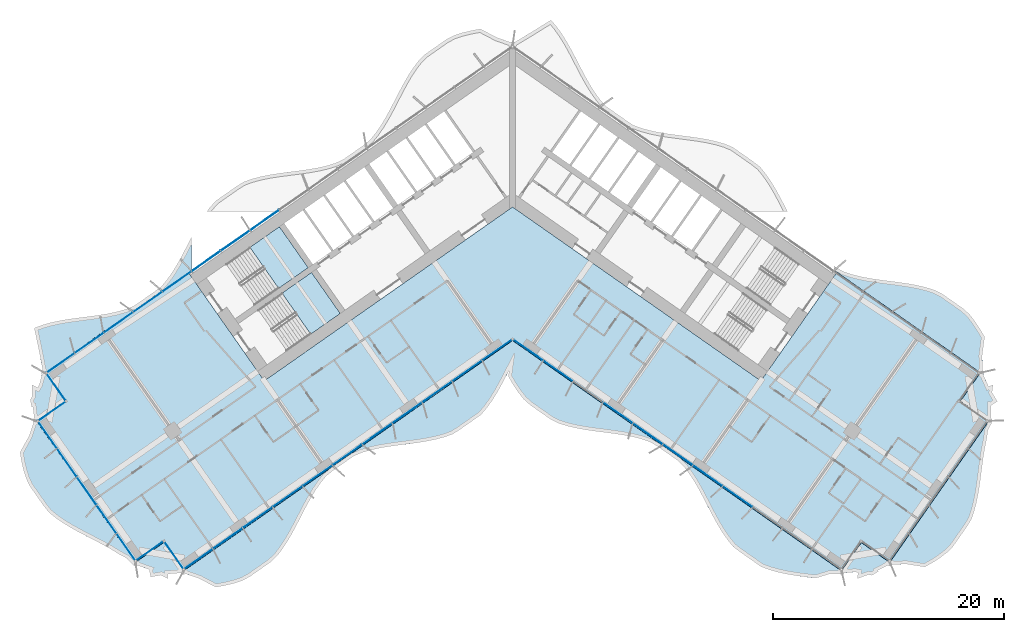
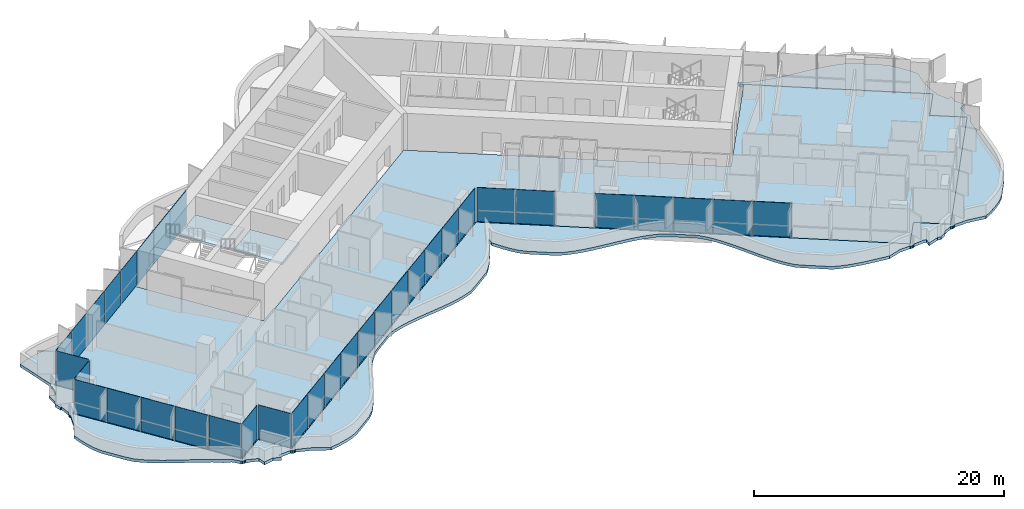
# One storey, part 10 of 23: 35 plates, 4 slabs, 4 elements without a shape of their own.
"""IFC4 building model written with IfcOpenShell, lengths in metres."""

from ifc_helpers import new_model, si_unit, direction, frame, origin, origin_2d, place, context, subcontext, project, spatial, polyline, rectangle, outline, extrude, material, layer, layer_set, type_object, element, aggregate, save


model = new_model("IFC4")

# Units and contexts
model_context = context("Model", 3, precision=1e-05, world=origin(), true_north=direction((0.0, 1.0)))
body_context = subcontext(model_context, "Body", "Model", "MODEL_VIEW")
ifc_project = project(units=[si_unit("LENGTHUNIT", "METRE"), si_unit("AREAUNIT", "SQUARE_METRE"), si_unit("VOLUMEUNIT", "CUBIC_METRE"), si_unit("PLANEANGLEUNIT", "RADIAN"), si_unit("MASSUNIT", "GRAM", prefix="KILO")], contexts=[model_context])

# Site, building, storey
site_placement = place(None, origin())
site = spatial("IfcSite", under=ifc_project, at=site_placement, CompositionType="ELEMENT")
building_placement = place(site_placement, origin())
building = spatial("IfcBuilding", under=site, at=building_placement, Name="Tel Ilan Convention Tower", CompositionType="ELEMENT")
storey_placement = place(building_placement, frame((0.0, 0.0, 115.699951171875)))
storey = spatial("IfcBuildingStorey", under=building, at=storey_placement, Name="L25", CompositionType="ELEMENT", Elevation=115.699951171875)

# Curtain wall, plates
ifc_material_1 = material(Name="Aluminium, bronze anodised", Category="aluminium")
curtain_wall_type_1 = type_object("IfcCurtainWallType", Name="CW1 UNITISED CURTAIN WALL, HOTEL TINTED GLASS", PredefinedType="NOTDEFINED", material=ifc_material_1)
curtain_wall_1_placement = place(storey_placement, origin())
curtain_wall_1 = element("IfcCurtainWall", 1, at=curtain_wall_1_placement, inside=storey, type_object=curtain_wall_type_1, Name="Curtain wall CW1-20.02", PredefinedType="NOTDEFINED")
ifc_material_2 = material(Name="Glass, bronze tinted, two-ply unitised", Category="glass")
ifc_layer_1 = layer(ifc_material_2, 0.028076171875)
ifc_layer_set_1 = layer_set([ifc_layer_1], Name="CW HOTEL GLASS PANEL 28")
plate_type_1 = type_object("IfcPlateType", Name="CW HOTEL GLASS PANEL 28", PredefinedType="CURTAIN_PANEL", material=ifc_layer_set_1)
plate_1_placement = place(storey_placement, frame((-29.1171875, -7.692138671875, 0.0), z_axis=(0.0, 0.0, 1.0), x_axis=(-0.819152044289, -0.573576436351, 0.0)))
plate_1 = element("IfcPlate", 2, at=plate_1_placement, type_object=plate_type_1, Name="Glass panel", PredefinedType="CURTAIN_PANEL", context=body_context, shape_type="SweptSolid", body=[
    extrude(rectangle(XDim=3.037109375, YDim=0.028076171875, at=origin_2d()), origin(), (0.0, 0.0, 1.0), 3.320068359375),
])
plate_2_placement = place(storey_placement, frame((-31.654296875, -9.468505859375, 0.0), z_axis=(0.0, 0.0, 1.0), x_axis=(-0.819152044289, -0.573576436351, 0.0)))
plate_2 = element("IfcPlate", 3, at=plate_2_placement, type_object=plate_type_1, Name="Glass panel", PredefinedType="CURTAIN_PANEL", context=body_context, shape_type="SweptSolid", body=[
    extrude(rectangle(XDim=3.037109375, YDim=0.028076171875, at=origin_2d()), origin(), (0.0, 0.0, 1.0), 3.320068359375),
])
plate_3_placement = place(storey_placement, frame((-34.191162109375, -11.244873046875, 0.0), z_axis=(0.0, 0.0, 1.0), x_axis=(-0.819152044289, -0.573576436351, 0.0)))
plate_3 = element("IfcPlate", 4, at=plate_3_placement, type_object=plate_type_1, Name="Glass panel", PredefinedType="CURTAIN_PANEL", context=body_context, shape_type="SweptSolid", body=[
    extrude(rectangle(XDim=3.037109375, YDim=0.028076171875, at=origin_2d()), origin(), (0.0, 0.0, 1.0), 3.320068359375),
])
plate_4_placement = place(storey_placement, frame((-36.72802734375, -13.021240234375, 0.0), z_axis=(0.0, 0.0, 1.0), x_axis=(-0.819152044289, -0.573576436351, 0.0)))
plate_4 = element("IfcPlate", 5, at=plate_4_placement, type_object=plate_type_1, Name="Glass panel", PredefinedType="CURTAIN_PANEL", context=body_context, shape_type="SweptSolid", body=[
    extrude(rectangle(XDim=3.037109375, YDim=0.028076171875, at=origin_2d()), origin(), (0.0, 0.0, 1.0), 3.320068359375),
])
plate_5_placement = place(storey_placement, frame((-39.2265625, -14.7705078125, 0.0), z_axis=(0.0, 0.0, 1.0), x_axis=(-0.819152044289, -0.573576436351, 0.0)))
plate_5 = element("IfcPlate", 6, at=plate_5_placement, type_object=plate_type_1, Name="Glass panel", PredefinedType="CURTAIN_PANEL", context=body_context, shape_type="SweptSolid", body=[
    extrude(rectangle(XDim=2.943115234375, YDim=0.028076171875, at=origin_2d()), origin(), (0.0, 0.0, 1.0), 3.320068359375),
])
plate_6_placement = place(storey_placement, frame((-39.61328125, -16.82568359375, 0.0), z_axis=(0.0, 0.0, 1.0), x_axis=(0.573576436351, -0.819152044289, 0.0)))
plate_6 = element("IfcPlate", 7, at=plate_6_placement, type_object=plate_type_1, Name="Glass panel", PredefinedType="CURTAIN_PANEL", context=body_context, shape_type="SweptSolid", body=[
    extrude(rectangle(XDim=2.875, YDim=0.028076171875, at=origin_2d()), origin(), (0.0, 0.0, 1.0), 3.320068359375),
])
plate_7_placement = place(storey_placement, frame((-39.990966796875, -18.96826171875, 0.0), z_axis=(0.0, 0.0, 1.0), x_axis=(-0.819152044289, -0.573576436351, 0.0)))
plate_7 = element("IfcPlate", 8, at=plate_7_placement, type_object=plate_type_1, Name="Glass panel", PredefinedType="CURTAIN_PANEL", context=body_context, shape_type="SweptSolid", body=[
    extrude(rectangle(XDim=2.875, YDim=0.028076171875, at=origin_2d()), origin(), (0.0, 0.0, 1.0), 3.320068359375),
])
plate_8_placement = place(storey_placement, frame((-40.358154296875, -20.991943359375, 0.0), z_axis=(0.0, 0.0, 1.0), x_axis=(0.573576436351, -0.819152044289, 0.0)))
plate_8 = element("IfcPlate", 9, at=plate_8_placement, type_object=plate_type_1, Name="Glass panel", PredefinedType="CURTAIN_PANEL", context=body_context, shape_type="SweptSolid", body=[
    extrude(rectangle(XDim=2.845947265625, YDim=0.028076171875, at=origin_2d()), origin(), (0.0, 0.0, 1.0), 3.320068359375),
])
plate_9_placement = place(storey_placement, frame((-38.66455078125, -23.410888671875, 0.0), z_axis=(0.0, 0.0, 1.0), x_axis=(0.573576436351, -0.819152044289, 0.0)))
plate_9 = element("IfcPlate", 10, at=plate_9_placement, type_object=plate_type_1, Name="Glass panel", PredefinedType="CURTAIN_PANEL", context=body_context, shape_type="SweptSolid", body=[
    extrude(rectangle(XDim=2.93994140625, YDim=0.028076171875, at=origin_2d()), origin(), (0.0, 0.0, 1.0), 3.320068359375),
])
plate_10_placement = place(storey_placement, frame((-36.94384765625, -25.868408203125, 0.0), z_axis=(0.0, 0.0, 1.0), x_axis=(0.573576436351, -0.819152044289, 0.0)))
plate_10 = element("IfcPlate", 11, at=plate_10_placement, type_object=plate_type_1, Name="Glass panel", PredefinedType="CURTAIN_PANEL", context=body_context, shape_type="SweptSolid", body=[
    extrude(rectangle(XDim=2.93994140625, YDim=0.028076171875, at=origin_2d()), origin(), (0.0, 0.0, 1.0), 3.320068359375),
])
plate_11_placement = place(storey_placement, frame((-35.22314453125, -28.32568359375, 0.0), z_axis=(0.0, 0.0, 1.0), x_axis=(0.573576436351, -0.819152044289, 0.0)))
plate_11 = element("IfcPlate", 12, at=plate_11_placement, type_object=plate_type_1, Name="Glass panel", PredefinedType="CURTAIN_PANEL", context=body_context, shape_type="SweptSolid", body=[
    extrude(rectangle(XDim=2.93994140625, YDim=0.028076171875, at=origin_2d()), origin(), (0.0, 0.0, 1.0), 3.320068359375),
])
plate_12_placement = place(storey_placement, frame((-33.529296875, -30.74462890625, 0.0), z_axis=(0.0, 0.0, 1.0), x_axis=(0.573576436351, -0.819152044289, 0.0)))
plate_12 = element("IfcPlate", 13, at=plate_12_placement, type_object=plate_type_1, Name="Glass panel", PredefinedType="CURTAIN_PANEL", context=body_context, shape_type="SweptSolid", body=[
    extrude(rectangle(XDim=2.845947265625, YDim=0.028076171875, at=origin_2d()), origin(), (0.0, 0.0, 1.0), 3.320068359375),
])
plate_13_placement = place(storey_placement, frame((-31.502197265625, -31.091796875, 0.0), z_axis=(0.0, 0.0, 1.0), x_axis=(0.819152044289, 0.573576436351, 0.0)))
plate_13 = element("IfcPlate", 14, at=plate_13_placement, type_object=plate_type_1, Name="Glass panel", PredefinedType="CURTAIN_PANEL", context=body_context, shape_type="SweptSolid", body=[
    extrude(rectangle(XDim=2.875, YDim=0.028076171875, at=origin_2d()), origin(), (0.0, 0.0, 1.0), 3.320068359375),
])
plate_14_placement = place(storey_placement, frame((-29.359375, -31.469482421875, 0.0), z_axis=(0.0, 0.0, 1.0), x_axis=(0.573576436351, -0.819152044289, 0.0)))
plate_14 = element("IfcPlate", 15, at=plate_14_placement, type_object=plate_type_1, Name="Glass panel", PredefinedType="CURTAIN_PANEL", context=body_context, shape_type="SweptSolid", body=[
    extrude(rectangle(XDim=2.875, YDim=0.028076171875, at=origin_2d()), origin(), (0.0, 0.0, 1.0), 3.320068359375),
])
plate_15_placement = place(storey_placement, frame((-27.26708984375, -31.78857421875, 0.0), z_axis=(0.0, 0.0, 1.0), x_axis=(0.819152044289, 0.573576436351, 0.0)))
plate_15 = element("IfcPlate", 16, at=plate_15_placement, type_object=plate_type_1, Name="Glass panel", PredefinedType="CURTAIN_PANEL", context=body_context, shape_type="SweptSolid", body=[
    extrude(rectangle(XDim=3.013916015625, YDim=0.028076171875, at=origin_2d()), origin(), (0.0, 0.0, 1.0), 3.320068359375),
])
plate_16_placement = place(storey_placement, frame((-24.71044921875, -29.99853515625, 0.0), z_axis=(0.0, 0.0, 1.0), x_axis=(0.819152044289, 0.573576436351, 0.0)))
plate_16 = element("IfcPlate", 17, at=plate_16_placement, type_object=plate_type_1, Name="Glass panel", PredefinedType="CURTAIN_PANEL", context=body_context, shape_type="SweptSolid", body=[
    extrude(rectangle(XDim=3.10791015625, YDim=0.028076171875, at=origin_2d()), origin(), (0.0, 0.0, 1.0), 3.320068359375),
])
plate_17_placement = place(storey_placement, frame((-22.115478515625, -28.181396484375, 0.0), z_axis=(0.0, 0.0, 1.0), x_axis=(0.819152044289, 0.573576436351, 0.0)))
plate_17 = element("IfcPlate", 18, at=plate_17_placement, type_object=plate_type_1, Name="Glass panel", PredefinedType="CURTAIN_PANEL", context=body_context, shape_type="SweptSolid", body=[
    extrude(rectangle(XDim=3.10791015625, YDim=0.028076171875, at=origin_2d()), origin(), (0.0, 0.0, 1.0), 3.320068359375),
])
plate_18_placement = place(storey_placement, frame((-19.520263671875, -26.3642578125, 0.0), z_axis=(0.0, 0.0, 1.0), x_axis=(0.819152044289, 0.573576436351, 0.0)))
plate_18 = element("IfcPlate", 19, at=plate_18_placement, type_object=plate_type_1, Name="Glass panel", PredefinedType="CURTAIN_PANEL", context=body_context, shape_type="SweptSolid", body=[
    extrude(rectangle(XDim=3.10791015625, YDim=0.028076171875, at=origin_2d()), origin(), (0.0, 0.0, 1.0), 3.320068359375),
])
plate_19_placement = place(storey_placement, frame((-16.92529296875, -24.54736328125, 0.0), z_axis=(0.0, 0.0, 1.0), x_axis=(0.819152044289, 0.573576436351, 0.0)))
plate_19 = element("IfcPlate", 20, at=plate_19_placement, type_object=plate_type_1, Name="Glass panel", PredefinedType="CURTAIN_PANEL", context=body_context, shape_type="SweptSolid", body=[
    extrude(rectangle(XDim=3.10791015625, YDim=0.028076171875, at=origin_2d()), origin(), (0.0, 0.0, 1.0), 3.320068359375),
])
plate_20_placement = place(storey_placement, frame((-14.330078125, -22.730224609375, 0.0), z_axis=(0.0, 0.0, 1.0), x_axis=(0.819152044289, 0.573576436351, 0.0)))
plate_20 = element("IfcPlate", 21, at=plate_20_placement, type_object=plate_type_1, Name="Glass panel", PredefinedType="CURTAIN_PANEL", context=body_context, shape_type="SweptSolid", body=[
    extrude(rectangle(XDim=3.10791015625, YDim=0.028076171875, at=origin_2d()), origin(), (0.0, 0.0, 1.0), 3.320068359375),
])
plate_21_placement = place(storey_placement, frame((-11.735107421875, -20.9130859375, 0.0), z_axis=(0.0, 0.0, 1.0), x_axis=(0.819152044289, 0.573576436351, 0.0)))
plate_21 = element("IfcPlate", 22, at=plate_21_placement, type_object=plate_type_1, Name="Glass panel", PredefinedType="CURTAIN_PANEL", context=body_context, shape_type="SweptSolid", body=[
    extrude(rectangle(XDim=3.10791015625, YDim=0.028076171875, at=origin_2d()), origin(), (0.0, 0.0, 1.0), 3.320068359375),
])
plate_22_placement = place(storey_placement, frame((-9.14013671875, -19.095947265625, 0.0), z_axis=(0.0, 0.0, 1.0), x_axis=(0.819152044289, 0.573576436351, 0.0)))
plate_22 = element("IfcPlate", 23, at=plate_22_placement, type_object=plate_type_1, Name="Glass panel", PredefinedType="CURTAIN_PANEL", context=body_context, shape_type="SweptSolid", body=[
    extrude(rectangle(XDim=3.10791015625, YDim=0.028076171875, at=origin_2d()), origin(), (0.0, 0.0, 1.0), 3.320068359375),
])
plate_23_placement = place(storey_placement, frame((-6.544921875, -17.27880859375, 0.0), z_axis=(0.0, 0.0, 1.0), x_axis=(0.819152044289, 0.573576436351, 0.0)))
plate_23 = element("IfcPlate", 24, at=plate_23_placement, type_object=plate_type_1, Name="Glass panel", PredefinedType="CURTAIN_PANEL", context=body_context, shape_type="SweptSolid", body=[
    extrude(rectangle(XDim=3.10791015625, YDim=0.028076171875, at=origin_2d()), origin(), (0.0, 0.0, 1.0), 3.320068359375),
])
plate_24_placement = place(storey_placement, frame((-3.949951171875, -15.4619140625, 0.0), z_axis=(0.0, 0.0, 1.0), x_axis=(0.819152044289, 0.573576436351, 0.0)))
plate_24 = element("IfcPlate", 25, at=plate_24_placement, type_object=plate_type_1, Name="Glass panel", PredefinedType="CURTAIN_PANEL", context=body_context, shape_type="SweptSolid", body=[
    extrude(rectangle(XDim=3.10791015625, YDim=0.028076171875, at=origin_2d()), origin(), (0.0, 0.0, 1.0), 3.320068359375),
])
plate_25_placement = place(storey_placement, frame((-1.355224609375, -13.64501953125, 0.0), z_axis=(0.0, 0.0, 1.0), x_axis=(0.819152044289, 0.573576436351, 0.0)))
plate_25 = element("IfcPlate", 26, at=plate_25_placement, type_object=plate_type_1, Name="Glass panel", PredefinedType="CURTAIN_PANEL", context=body_context, shape_type="SweptSolid", body=[
    extrude(rectangle(XDim=3.10693359375, YDim=0.028076171875, at=origin_2d()), origin(), (0.0, 0.0, 1.0), 3.320068359375),
])
plate_26_placement = place(storey_placement, frame((1.366943359375, -13.653076171875, 0.0), z_axis=(0.0, 0.0, 1.0), x_axis=(0.819152044289, -0.573576436351, 0.0)))
plate_26 = element("IfcPlate", 27, at=plate_26_placement, type_object=plate_type_1, Name="Glass panel", PredefinedType="CURTAIN_PANEL", context=body_context, shape_type="SweptSolid", body=[
    extrude(rectangle(XDim=3.078857421875, YDim=0.028076171875, at=origin_2d()), origin(), (0.0, 0.0, 1.0), 3.320068359375),
])
plate_27_placement = place(storey_placement, frame((3.949951171875, -15.4619140625, 0.0), z_axis=(0.0, 0.0, 1.0), x_axis=(0.819152044289, -0.573576436351, 0.0)))
plate_27 = element("IfcPlate", 28, at=plate_27_placement, type_object=plate_type_1, Name="Glass panel", PredefinedType="CURTAIN_PANEL", context=body_context, shape_type="SweptSolid", body=[
    extrude(rectangle(XDim=3.10791015625, YDim=0.028076171875, at=origin_2d()), origin(), (0.0, 0.0, 1.0), 3.320068359375),
])
plate_28_placement = place(storey_placement, frame((9.14013671875, -19.095947265625, 0.0), z_axis=(0.0, 0.0, 1.0), x_axis=(0.819152044289, -0.573576436351, 0.0)))
plate_28 = element("IfcPlate", 29, at=plate_28_placement, type_object=plate_type_1, Name="Glass panel", PredefinedType="CURTAIN_PANEL", context=body_context, shape_type="SweptSolid", body=[
    extrude(rectangle(XDim=3.10791015625, YDim=0.028076171875, at=origin_2d()), origin(), (0.0, 0.0, 1.0), 3.320068359375),
])
plate_29_placement = place(storey_placement, frame((11.735107421875, -20.9130859375, 0.0), z_axis=(0.0, 0.0, 1.0), x_axis=(0.819152044289, -0.573576436351, 0.0)))
plate_29 = element("IfcPlate", 30, at=plate_29_placement, type_object=plate_type_1, Name="Glass panel", PredefinedType="CURTAIN_PANEL", context=body_context, shape_type="SweptSolid", body=[
    extrude(rectangle(XDim=3.10791015625, YDim=0.028076171875, at=origin_2d()), origin(), (0.0, 0.0, 1.0), 3.320068359375),
])
plate_30_placement = place(storey_placement, frame((14.330078125, -22.730224609375, 0.0), z_axis=(0.0, 0.0, 1.0), x_axis=(0.819152044289, -0.573576436351, 0.0)))
plate_30 = element("IfcPlate", 31, at=plate_30_placement, type_object=plate_type_1, Name="Glass panel", PredefinedType="CURTAIN_PANEL", context=body_context, shape_type="SweptSolid", body=[
    extrude(rectangle(XDim=3.10791015625, YDim=0.028076171875, at=origin_2d()), origin(), (0.0, 0.0, 1.0), 3.320068359375),
])
plate_31_placement = place(storey_placement, frame((16.92529296875, -24.54736328125, 0.0), z_axis=(0.0, 0.0, 1.0), x_axis=(0.819152044289, -0.573576436351, 0.0)))
plate_31 = element("IfcPlate", 32, at=plate_31_placement, type_object=plate_type_1, Name="Glass panel", PredefinedType="CURTAIN_PANEL", context=body_context, shape_type="SweptSolid", body=[
    extrude(rectangle(XDim=3.10791015625, YDim=0.028076171875, at=origin_2d()), origin(), (0.0, 0.0, 1.0), 3.320068359375),
])
plate_32_placement = place(storey_placement, frame((19.520263671875, -26.3642578125, 0.0), z_axis=(0.0, 0.0, 1.0), x_axis=(0.819152044289, -0.573576436351, 0.0)))
plate_32 = element("IfcPlate", 33, at=plate_32_placement, type_object=plate_type_1, Name="Glass panel", PredefinedType="CURTAIN_PANEL", context=body_context, shape_type="SweptSolid", body=[
    extrude(rectangle(XDim=3.10791015625, YDim=0.028076171875, at=origin_2d()), origin(), (0.0, 0.0, 1.0), 3.320068359375),
])
aggregate(curtain_wall_1, [plate_1, plate_2, plate_3, plate_4, plate_5, plate_6, plate_7, plate_8, plate_9, plate_10, plate_11, plate_12, plate_13, plate_14, plate_15, plate_16, plate_17, plate_18, plate_19, plate_20, plate_21, plate_22, plate_23, plate_24, plate_25, plate_26, plate_27, plate_28, plate_29, plate_30, plate_31, plate_32])

ifc_material_3 = material(Name="Aluminium, bronze anodised", Category="aluminium")
curtain_wall_type_2 = type_object("IfcCurtainWallType", Name="CW2 STICK CURTAIN WALL, SPANDREL PANELS", PredefinedType="NOTDEFINED", material=ifc_material_3)
curtain_wall_2_placement = place(storey_placement, origin())
curtain_wall_2 = element("IfcCurtainWall", 34, at=curtain_wall_2_placement, inside=storey, type_object=curtain_wall_type_2, Name="Curtain wall CW2-20.01", PredefinedType="NOTDEFINED")
ifc_material_4 = material(Name="Aluminium composite panel, bronze anodised", Category="aluminium")
ifc_layer_2 = layer(ifc_material_4, 0.06005859375)
ifc_layer_set_2 = layer_set([ifc_layer_2], Name="CW SPANDREL PANEL 60")
plate_type_2 = type_object("IfcPlateType", Name="CW SPANDREL PANEL 60", PredefinedType="CURTAIN_PANEL", material=ifc_layer_set_2)
plate_33_placement = place(storey_placement, frame((-21.506591796875, -2.363037109375, 0.0), z_axis=(0.0, 0.0, 1.0), x_axis=(-0.819152044289, -0.573576436351, 0.0)))
plate_33 = element("IfcPlate", 35, at=plate_33_placement, type_object=plate_type_2, Name="Spandrel panel", PredefinedType="CURTAIN_PANEL", context=body_context, shape_type="SweptSolid", body=[
    extrude(rectangle(XDim=3.037109375, YDim=0.06005859375, at=origin_2d()), origin(), (0.0, 0.0, 1.0), 3.320068359375),
])
plate_34_placement = place(storey_placement, frame((-24.04345703125, -4.139404296875, 0.0), z_axis=(0.0, 0.0, 1.0), x_axis=(-0.819152044289, -0.573576436351, 0.0)))
plate_34 = element("IfcPlate", 36, at=plate_34_placement, type_object=plate_type_2, Name="Spandrel panel", PredefinedType="CURTAIN_PANEL", context=body_context, shape_type="SweptSolid", body=[
    extrude(rectangle(XDim=3.037109375, YDim=0.06005859375, at=origin_2d()), origin(), (0.0, 0.0, 1.0), 3.320068359375),
])
plate_35_placement = place(storey_placement, frame((-26.580322265625, -5.915771484375, 0.0), z_axis=(0.0, 0.0, 1.0), x_axis=(-0.819152044289, -0.573576436351, 0.0)))
plate_35 = element("IfcPlate", 37, at=plate_35_placement, type_object=plate_type_2, Name="Spandrel panel", PredefinedType="CURTAIN_PANEL", context=body_context, shape_type="SweptSolid", body=[
    extrude(rectangle(XDim=3.037109375, YDim=0.06005859375, at=origin_2d()), origin(), (0.0, 0.0, 1.0), 3.320068359375),
])
aggregate(curtain_wall_2, [plate_33, plate_34, plate_35])

# Stair, slab
ifc_material_5 = material(Name="Concrete C40/50", Category="concrete")
stair_type = type_object("IfcStairType", Name="Pressurised Exit Stair 20 risers 180 mm", PredefinedType="HALF_TURN_STAIR", material=ifc_material_5)
stair_1_placement = place(storey_placement, origin())
stair_1 = element("IfcStair", 38, at=stair_1_placement, inside=storey, type_object=stair_type, Name="L25 Pressurised Stair S1", PredefinedType="HALF_TURN_STAIR")
ifc_material_6 = material(Name="Concrete C40/50", Category="concrete")
ifc_layer_3 = layer(ifc_material_6, 0.199951171875)
ifc_layer_set_3 = layer_set([ifc_layer_3], Name="Concrete Stair Landing 200 mm C40/50")
slab_type_1 = type_object("IfcSlabType", Name="Concrete Stair Landing 200 mm", PredefinedType="LANDING", material=ifc_layer_set_3)
slab_1_placement = place(storey_placement, frame((0.0, 0.0, 1.60009765625)))
slab_1 = element("IfcSlab", 39, at=slab_1_placement, type_object=slab_type_1, Name="S1 landing 1", PredefinedType="LANDING", context=body_context, shape_type="SweptSolid", body=[
    extrude(outline(polyline([(-20.2958984375, -8.29052734375), (-17.7314453125, -6.494873046875), (-20.226318359375, -2.931640625), (-22.791015625, -4.727294921875), (-20.2958984375, -8.29052734375)])), origin(), (0.0, 0.0, 1.0), 0.199951171875),
])
aggregate(stair_1, [slab_1])

stair_2_placement = place(storey_placement, origin())
stair_2 = element("IfcStair", 40, at=stair_2_placement, inside=storey, type_object=stair_type, Name="L25 Pressurised Stair S2", PredefinedType="HALF_TURN_STAIR")
slab_2_placement = place(storey_placement, frame((0.0, 0.0, 1.60009765625)))
slab_2 = element("IfcSlab", 41, at=slab_2_placement, type_object=slab_type_1, Name="S2 landing 1", PredefinedType="LANDING", context=body_context, shape_type="SweptSolid", body=[
    extrude(outline(polyline([(-17.51416015625, -12.263427734375), (-14.949462890625, -10.4677734375), (-17.444580078125, -6.904541015625), (-20.00927734375, -8.7001953125), (-17.51416015625, -12.263427734375)])), origin(), (0.0, 0.0, 1.0), 0.199951171875),
])
aggregate(stair_2, [slab_2])

# Slabs
ifc_material_7 = material(Name="Concrete C40/50", Category="concrete")
ifc_layer_4 = layer(ifc_material_7, 0.280029296875)
ifc_layer_set_4 = layer_set([ifc_layer_4], Name="Edge Ledge Slab 280 mm C40/50")
slab_type_2 = type_object("IfcSlabType", Name="Edge Ledge Slab 280 mm C40/50", PredefinedType="FLOOR", material=ifc_layer_set_4)
slab_3_placement = place(storey_placement, frame((0.0, 0.0, -0.280029296875)))
element("IfcSlab", 42, at=slab_3_placement, inside=storey, type_object=slab_type_2, Name="L25 edge ledge 1", PredefinedType="FLOOR", context=body_context, shape_type="SweptSolid", body=[
    extrude(outline(polyline([(-41.327392578125, -19.781982421875), (-32.723876953125, -32.0693359375), (-30.266357421875, -30.3486328125), (-30.09423828125, -30.59423828125), (-28.714599609375, -32.56494140625), (-28.545654296875, -32.805908203125), (0.0, -12.818115234375), (28.545654296875, -32.805908203125), (28.712890625, -32.567138671875), (30.09423828125, -30.59423828125), (30.266357421875, -30.3486328125), (32.723876953125, -32.0693359375), (41.327392578125, -19.781982421875), (41.08837890625, -19.61474609375), (40.098876953125, -18.921630859375), (38.8701171875, -18.061279296875), (40.5908203125, -15.603759765625), (27.875, -6.7001953125), (27.875, -6.333740234375), (28.040283203125, -6.44970703125), (28.68408203125, -6.820068359375), (29.414794921875, -7.0654296875), (30.181884765625, -7.259521484375), (30.97802734375, -7.412109375), (31.79443359375, -7.535400390625), (32.6220703125, -7.64306640625), (33.450927734375, -7.748779296875), (34.27099609375, -7.86669921875), (35.072998046875, -8.0107421875), (35.84814453125, -8.193115234375), (36.5888671875, -8.4248046875), (37.260498046875, -8.755126953125), (39.077880859375, -10.027587890625), (39.63232421875, -10.525390625), (40.108154296875, -11.13525390625), (40.548583984375, -11.795654296875), (40.96044921875, -12.496826171875), (40.743408203125, -14.096435546875), (40.7626953125, -15.358154296875), (40.759521484375, -15.36279296875), (40.802978515625, -15.3916015625), (40.867919921875, -15.489013671875), (40.890869140625, -15.603759765625), (40.867919921875, -15.718505859375), (40.831787109375, -15.772705078125), (40.83642578125, -15.77587890625), (41.29638671875, -16.79443359375), (41.686767578125, -16.65380859375), (41.602294921875, -17.322509765625), (42.063720703125, -18.10009765625), (41.508056640625, -18.443603515625), (41.487548828125, -18.439453125), (41.49951171875, -19.536376953125), (41.496337890625, -19.541015625), (41.53955078125, -19.56982421875), (41.604736328125, -19.667236328125), (41.62744140625, -19.781982421875), (41.604736328125, -19.896728515625), (41.568603515625, -19.95068359375), (41.5732421875, -19.9541015625), (41.24267578125, -20.594482421875), (41.12841796875, -21.386474609375), (40.97021484375, -22.147705078125), (40.841064453125, -22.929443359375), (40.732421875, -23.72509765625), (40.631103515625, -24.5263671875), (40.52490234375, -25.323974609375), (40.40087890625, -26.10888671875), (40.247314453125, -26.87353515625), (40.0537109375, -27.60986328125), (39.810791015625, -28.311767578125), (39.44189453125, -28.925537109375), (38.212890625, -30.680908203125), (37.701904296875, -31.195068359375), (37.104736328125, -31.64892578125), (36.4619140625, -32.07080078125), (35.769775390625, -32.4580078125), (34.16845703125, -32.208740234375), (32.969482421875, -32.241455078125), (32.96484375, -32.238037109375), (32.93603515625, -32.281494140625), (32.838623046875, -32.346435546875), (32.723876953125, -32.369384765625), (32.60888671875, -32.346435546875), (32.554931640625, -32.310302734375), (32.5517578125, -32.31494140625), (31.685546875, -32.75439453125), (31.7392578125, -32.8447265625), (31.18359375, -33.188232421875), (30.877685546875, -33.126708984375), (29.9072265625, -33.476806640625), (29.97412109375, -32.9453125), (29.716796875, -32.8935546875), (28.79150390625, -32.97802734375), (28.78662109375, -32.974853515625), (28.7578125, -33.018310546875), (28.660400390625, -33.083251953125), (28.545654296875, -33.10595703125), (28.430908203125, -33.083251953125), (28.376953125, -33.047119140625), (28.37353515625, -33.0517578125), (27.44921875, -33.079345703125), (26.29443359375, -33.435546875), (25.462646484375, -33.3310546875), (24.635986328125, -33.218994140625), (23.824462890625, -33.08544921875), (23.03662109375, -32.91748046875), (22.281005859375, -32.7041015625), (21.564697265625, -32.434814453125), (19.742431640625, -31.158935546875), (19.1513671875, -30.71044921875), (18.660888671875, -30.1181640625), (18.2080078125, -29.47216796875), (17.785888671875, -28.782470703125), (17.38623046875, -28.060546875), (16.999755859375, -27.31982421875), (16.61669921875, -26.574462890625), (16.2265625, -25.838623046875), (15.8203125, -25.12646484375), (15.388427734375, -24.450439453125), (14.92333984375, -23.822021484375), (14.404296875, -23.2705078125), (12.58251953125, -21.99462890625), (11.9423828125, -21.61572265625), (11.211669921875, -21.366943359375), (10.444091796875, -21.17041015625), (9.647216796875, -21.015625), (8.829345703125, -20.89111328125), (8.0, -20.782958984375), (7.1689453125, -20.677001953125), (6.34619140625, -20.559326171875), (5.54150390625, -20.416015625), (4.763427734375, -20.234375), (4.02001953125, -20.003662109375), (3.343994140625, -19.676513671875), (1.52197265625, -18.400634765625), (0.964599609375, -17.90380859375), (0.4873046875, -17.293212890625), (0.04541015625, -16.631591796875), (-0.367919921875, -15.928955078125), (-0.29345703125, -15.373291015625), (-0.56103515625, -15.89501953125), (-0.94921875, -16.63330078125), (-1.352294921875, -17.350341796875), (-1.779296875, -18.032958984375), (-2.23828125, -18.669921875), (-2.736572265625, -19.251220703125), (-4.55859375, -20.527099609375), (-5.18212890625, -20.92919921875), (-5.906494140625, -21.1875), (-6.66845703125, -21.39208984375), (-7.4609375, -21.552734375), (-8.27587890625, -21.681396484375), (-9.104248046875, -21.791259765625), (-9.935791015625, -21.896484375), (-10.760498046875, -22.01123046875), (-11.56884765625, -22.1494140625), (-12.351806640625, -22.32421875), (-13.101318359375, -22.546142578125), (-13.797119140625, -22.84521484375), (-15.619140625, -24.12109375), (-16.194091796875, -24.5927734375), (-16.677734375, -25.1943359375), (-17.125, -25.848388671875), (-17.54296875, -26.544189453125), (-17.939697265625, -27.270263671875), (-18.3251953125, -28.0126953125), (-18.708740234375, -28.75732421875), (-19.1005859375, -29.490234375), (-19.510498046875, -30.197509765625), (-19.947509765625, -30.8662109375), (-20.41845703125, -31.486083984375), (-20.957275390625, -32.009521484375), (-22.779296875, -33.28515625), (-23.436767578125, -33.638916015625), (-24.174072265625, -33.87890625), (-24.94677734375, -34.067626953125), (-25.748291015625, -34.2158203125), (-27.177490234375, -33.46728515625), (-28.37353515625, -33.0517578125), (-28.376953125, -33.047119140625), (-28.430908203125, -33.083251953125), (-28.545654296875, -33.10595703125), (-28.660400390625, -33.083251953125), (-28.7578125, -33.018310546875), (-28.78662109375, -32.974853515625), (-28.79150390625, -32.97802734375), (-29.906005859375, -33.06201171875), (-29.9072265625, -33.476806640625), (-30.5068359375, -33.168701171875), (-31.39501953125, -33.336181640625), (-31.52783203125, -32.69677734375), (-31.51708984375, -32.678955078125), (-32.5517578125, -32.31494140625), (-32.554931640625, -32.310302734375), (-32.60888671875, -32.346435546875), (-32.723876953125, -32.369384765625), (-32.838623046875, -32.346435546875), (-32.93603515625, -32.281494140625), (-32.96484375, -32.238037109375), (-32.969482421875, -32.241455078125), (-33.458251953125, -31.711669921875), (-34.16357421875, -31.33349609375), (-34.82470703125, -30.92431640625), (-35.514892578125, -30.535888671875), (-36.2255859375, -30.161376953125), (-36.94384765625, -29.792236328125), (-37.656982421875, -29.419677734375), (-38.352294921875, -29.03466796875), (-39.018310546875, -28.62890625), (-39.643798828125, -28.195068359375), (-40.220458984375, -27.726806640625), (-40.671142578125, -27.170166015625), (-41.900146484375, -25.414794921875), (-42.20849609375, -24.7587890625), (-42.430908203125, -24.04248046875), (-42.607421875, -23.294189453125), (-42.734619140625, -22.51123046875), (-41.95263671875, -21.091796875), (-41.5732421875, -19.9541015625), (-41.568603515625, -19.95068359375), (-41.604736328125, -19.896728515625), (-41.62744140625, -19.781982421875), (-41.604736328125, -19.667236328125), (-41.53955078125, -19.56982421875), (-41.496337890625, -19.541015625), (-41.49951171875, -19.536376953125), (-41.6162109375, -18.572021484375), (-41.719482421875, -18.591552734375), (-41.852294921875, -17.9521484375), (-41.68994140625, -17.685546875), (-41.686767578125, -16.65380859375), (-41.210205078125, -16.898681640625), (-41.073486328125, -16.67431640625), (-40.83642578125, -15.77587890625), (-40.831787109375, -15.772705078125), (-40.867919921875, -15.718505859375), (-40.890869140625, -15.603759765625), (-40.867919921875, -15.489013671875), (-40.802978515625, -15.3916015625), (-40.759521484375, -15.36279296875), (-40.7626953125, -15.358154296875), (-41.11181640625, -13.5703125), (-41.499267578125, -11.727294921875), (-40.784912109375, -11.45849609375), (-40.03076171875, -11.24609375), (-39.244873046875, -11.078857421875), (-38.43505859375, -10.94580078125), (-37.610595703125, -10.833984375), (-36.781005859375, -10.729248046875), (-35.956298828125, -10.61767578125), (-35.146240234375, -10.485107421875), (-34.360107421875, -10.318603515625), (-33.60546875, -10.106689453125), (-32.88916015625, -9.84033203125), (-32.28125, -9.419189453125), (-31.069580078125, -8.57080078125), (-30.476318359375, -8.128662109375), (-29.9853515625, -7.540283203125), (-29.5322265625, -6.89794921875), (-29.10986328125, -6.211669921875), (-28.71044921875, -5.492919921875), (-28.324462890625, -4.754638671875), (-27.9423828125, -4.010986328125), (-27.875, -3.88330078125), (-27.875, -6.7001953125), (-40.5908203125, -15.603759765625), (-38.8701171875, -18.061279296875), (-40.098876953125, -18.921630859375), (-41.08642578125, -19.61328125), (-41.327392578125, -19.781982421875)])), origin(), (0.0, 0.0, 1.0), 0.280029296875),
])
ifc_material_8 = material(Name="Concrete C40/50", Category="concrete")
ifc_layer_5 = layer(ifc_material_8, 0.280029296875)
ifc_layer_set_5 = layer_set([ifc_layer_5], Name="Flat Plate Floor Slab 280 mm C40/50")
slab_type_3 = type_object("IfcSlabType", Name="Flat Plate Floor Slab 280 mm C40/50", PredefinedType="FLOOR", material=ifc_layer_set_5)
slab_4_placement = place(storey_placement, frame((0.0, 0.0, -0.280029296875)))
element("IfcSlab", 43, at=slab_4_placement, inside=storey, type_object=slab_type_3, Name="L25 floor slab", PredefinedType="FLOOR", context=body_context, shape_type="SweptSolid", body=[
    extrude(outline(polyline([(41.08642578125, -19.61328125), (41.327392578125, -19.781982421875), (32.723876953125, -32.0693359375), (30.266357421875, -30.3486328125), (30.09423828125, -30.59423828125), (28.714599609375, -32.56494140625), (28.545654296875, -32.805908203125), (0.0, -12.818115234375), (-28.545654296875, -32.805908203125), (-28.714599609375, -32.56494140625), (-30.09423828125, -30.59423828125), (-30.266357421875, -30.3486328125), (-32.723876953125, -32.0693359375), (-41.327392578125, -19.781982421875), (-41.08642578125, -19.61328125), (-40.098876953125, -18.921630859375), (-38.8701171875, -18.061279296875), (-40.5908203125, -15.603759765625), (-28.1396484375, -6.885498046875), (-21.54345703125, -16.3056640625), (0.0, -1.220703125), (21.54345703125, -16.3056640625), (28.1396484375, -6.885498046875), (40.5908203125, -15.603759765625), (38.8701171875, -18.061279296875), (40.098876953125, -18.921630859375), (41.08642578125, -19.61328125)])), origin(), (0.0, 0.0, 1.0), 0.280029296875),
])

save(model, "model.ifc")
